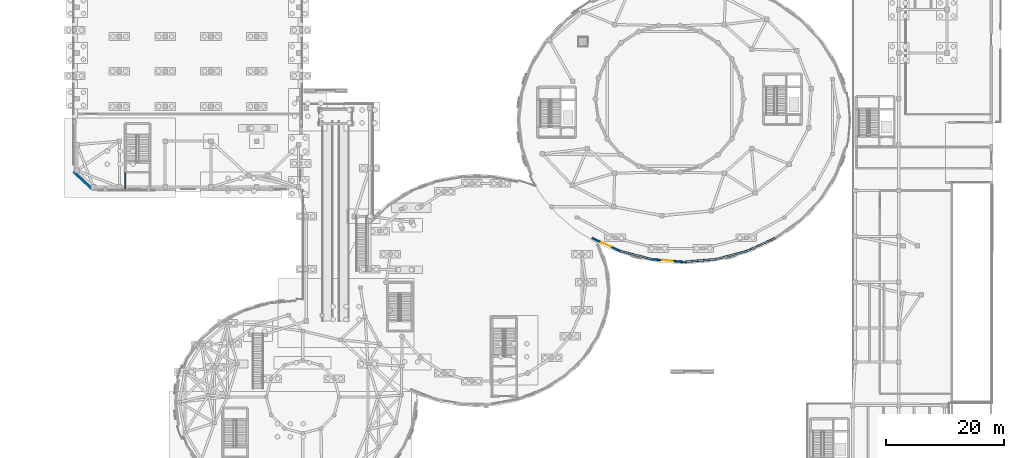
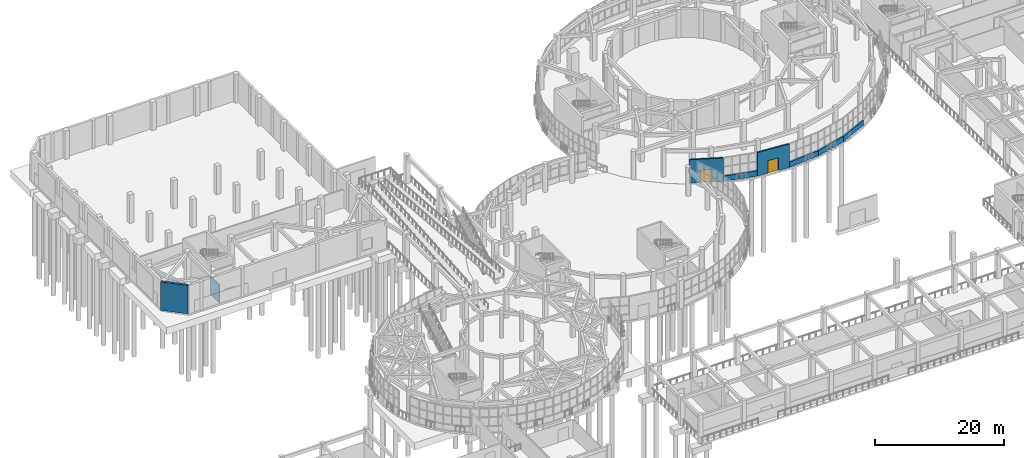
# One storey, part 74 of 96: 8 walls, 2 doors, 2 openings.
"""IFC4 building model written with IfcOpenShell, lengths in metres."""

from ifc_helpers import new_model, si_unit, direction, frame, frame_2d, origin, place, context, subcontext, project, spatial, rectangle, extrude, material, layer, layer_set, type_object, element, fill, save


model = new_model("IFC4")

# Units and contexts
model_context = context("Model", 3, precision=1e-05, world=origin(), true_north=direction((0.0, 1.0)))
body_context = subcontext(model_context, "Body", "Model", "MODEL_VIEW")
ifc_project = project(units=[si_unit("LENGTHUNIT", "METRE"), si_unit("AREAUNIT", "SQUARE_METRE"), si_unit("VOLUMEUNIT", "CUBIC_METRE"), si_unit("PLANEANGLEUNIT", "RADIAN"), si_unit("MASSUNIT", "GRAM", prefix="KILO")], contexts=[model_context])

# Site, building, storey
site_placement = place(None, origin())
site = spatial("IfcSite", under=ifc_project, at=site_placement, CompositionType="ELEMENT")
building_placement = place(site_placement, origin())
building = spatial("IfcBuilding", under=site, at=building_placement, Name="Pelvatis Terrace Science Centre", CompositionType="ELEMENT")
storey_placement = place(building_placement, origin())
storey = spatial("IfcBuildingStorey", under=building, at=storey_placement, Name="L00", CompositionType="ELEMENT", Elevation=0.0)

# Wall
ifc_material_1 = material(Name="Precast concrete C40/50 double acoustic shell", Category="concrete")
ifc_layer_1 = layer(ifc_material_1, 0.409912109375)
ifc_layer_set_1 = layer_set([ifc_layer_1], Name="Precast concrete C40/50 double acoustic shell")
wall_type_1 = type_object("IfcWallType", Name="WL-EXT-ACOU-410", PredefinedType="SOLIDWALL", material=ifc_layer_set_1)
wall_1_placement = place(storey_placement, frame((11.0, 70.449951171875, 0.0), z_axis=(0.0, 0.0, 1.0), x_axis=(-0.735244168043, 0.677802340922, 0.0)))
element("IfcWall", 1, at=wall_1_placement, inside=storey, type_object=wall_type_1, Name="Theatre classical stone acoustic wall SW (L00)", PredefinedType="SOLIDWALL", context=body_context, shape_type="SweptSolid", body=[
    extrude(rectangle(XDim=4.352294921875, YDim=0.409912109375, at=frame_2d((2.17626953125, 0.0))), origin(), (0.0, 0.0, 1.0), 5.39990234375),
])

# Wall, opening, door
ifc_material_2 = material(Name="White architectural precast concrete C40/50 spandrel", Category="concrete")
ifc_layer_2 = layer(ifc_material_2, 0.27490234375)
ifc_layer_set_2 = layer_set([ifc_layer_2], Name="White architectural precast concrete C40/50 spandrel")
wall_type_2 = type_object("IfcWallType", Name="WL-EXT-SPND-275", PredefinedType="SOLIDWALL", material=ifc_layer_set_2)
wall_2_placement = place(storey_placement, frame((100.86572265625, 59.88818359375, 0.0), z_axis=(0.0, 0.0, 1.0), x_axis=(-0.908403269123, 0.418095085653, 0.0)))
wall_2 = element("IfcWall", 2, at=wall_2_placement, inside=storey, type_object=wall_type_2, Name="V1 courtyard exit portal wall 22 (L00)", PredefinedType="SOLIDWALL", context=body_context, shape_type="SweptSolid", body=[
    extrude(rectangle(XDim=5.33837890625, YDim=0.27490234375, at=frame_2d((2.669189453125, 0.0))), origin(), (0.0, 0.0, 1.0), 4.4599609375),
])
opening_1_placement = place(wall_2_placement, frame((1.76904296875, 0.0, 0.0)))
opening_1 = element("IfcOpeningElement", 3, at=opening_1_placement, cuts=wall_2, Name="Opening D-015", PredefinedType="OPENING", context=body_context, shape_type="SweptSolid", body=[
    extrude(rectangle(XDim=1.800048828125, YDim=2.39990234375, at=frame_2d((0.89990234375, 1.199951171875))), frame((0.0, 0.1474609375, 0.0), z_axis=(0.0, -1.0, 0.0), x_axis=(1.0, 0.0, 0.0)), (0.0, 0.0, 1.0), 0.294921875),
])
ifc_material_3 = material(Name="Bronze-framed glazed double exit door", Category="glass")
door_type = type_object("IfcDoorType", Name="DR-EXT-1800x2400", OperationType="NOTDEFINED", PredefinedType="DOOR", material=ifc_material_3)
door_1_placement = place(opening_1_placement, origin())
door_1 = element("IfcDoor", 4, at=door_1_placement, inside=storey, type_object=door_type, Name="Planetarium south plaza exit door D-015", OperationType="DOUBLE_DOOR_SINGLE_SWING", OverallHeight=2.39990234375, OverallWidth=1.800048828125, PredefinedType="DOOR", context=body_context, shape_type="SweptSolid", body=[
    extrude(rectangle(XDim=1.800048828125, YDim=2.39990234375, at=frame_2d((0.89990234375, 1.199951171875))), frame((0.0, 0.02490234375, 0.0), z_axis=(0.0, -1.0, 0.0), x_axis=(1.0, 0.0, 0.0)), (0.0, 0.0, 1.0), 0.050048828125),
])
fill(opening_1, door_1)

# Wall
wall_3_placement = place(storey_placement, frame((100.86572265625, 59.88818359375, 0.0), z_axis=(0.0, 0.0, 1.0), x_axis=(0.967546202247, -0.252694175866, 0.0)))
element("IfcWall", 5, at=wall_3_placement, inside=storey, type_object=wall_type_2, Name="V1 white spiral spandrel band 23 (L00)", PredefinedType="SOLIDWALL", context=body_context, shape_type="SweptSolid", body=[
    extrude(rectangle(XDim=5.4384765625, YDim=0.27490234375, at=frame_2d((2.71923828125, 0.0))), origin(), (0.0, 0.0, 1.0), 1.02001953125),
])

# Wall, opening, door
wall_4_placement = place(storey_placement, frame((111.60009765625, 58.050048828125, 0.0), z_axis=(0.0, 0.0, 1.0), x_axis=(-0.996426719811, 0.084461778614, 0.0)))
wall_4 = element("IfcWall", 6, at=wall_4_placement, inside=storey, type_object=wall_type_2, Name="V1 courtyard exit portal wall 24 (L00)", PredefinedType="SOLIDWALL", context=body_context, shape_type="SweptSolid", body=[
    extrude(rectangle(XDim=5.491943359375, YDim=0.27490234375, at=frame_2d((2.74609375, 0.0))), origin(), (0.0, 0.0, 1.0), 4.4599609375),
])
opening_2_placement = place(wall_4_placement, frame((1.845947265625, 0.0, 0.0)))
opening_2 = element("IfcOpeningElement", 7, at=opening_2_placement, cuts=wall_4, Name="Opening D-016", PredefinedType="OPENING", context=body_context, shape_type="SweptSolid", body=[
    extrude(rectangle(XDim=1.800048828125, YDim=2.39990234375, at=frame_2d((0.89990234375, 1.199951171875))), frame((0.0, 0.1474609375, 0.0), z_axis=(0.0, -1.0, 0.0), x_axis=(1.0, 0.0, 0.0)), (0.0, 0.0, 1.0), 0.294921875),
])
door_2_placement = place(opening_2_placement, origin())
door_2 = element("IfcDoor", 8, at=door_2_placement, inside=storey, type_object=door_type, Name="Botanical court south exit door D-016", OperationType="DOUBLE_DOOR_SINGLE_SWING", OverallHeight=2.39990234375, OverallWidth=1.800048828125, PredefinedType="DOOR", context=body_context, shape_type="SweptSolid", body=[
    extrude(rectangle(XDim=1.800048828125, YDim=2.39990234375, at=frame_2d((0.89990234375, 1.199951171875))), frame((0.0, 0.02490234375, 0.0), z_axis=(0.0, -1.0, 0.0), x_axis=(1.0, 0.0, 0.0)), (0.0, 0.0, 1.0), 0.050048828125),
])
fill(opening_2, door_2)

# Walls
wall_5_placement = place(storey_placement, frame((111.60009765625, 58.050048828125, 0.0), z_axis=(0.0, 0.0, 1.0), x_axis=(0.996426402667, 0.084465519991, 0.0)))
element("IfcWall", 9, at=wall_5_placement, inside=storey, type_object=wall_type_2, Name="V1 white spiral spandrel band 25 (L00)", PredefinedType="SOLIDWALL", context=body_context, shape_type="SweptSolid", body=[
    extrude(rectangle(XDim=5.49169921875, YDim=0.27490234375, at=frame_2d((2.745849609375, 0.0))), origin(), (0.0, 0.0, 1.0), 1.02001953125),
])
wall_6_placement = place(storey_placement, frame((117.072265625, 58.513916015625, 0.0), z_axis=(0.0, 0.0, 1.0), x_axis=(0.967546202247, 0.252694175866, 0.0)))
element("IfcWall", 10, at=wall_6_placement, inside=storey, type_object=wall_type_2, Name="V1 white spiral spandrel band 26 (L00)", PredefinedType="SOLIDWALL", context=body_context, shape_type="SweptSolid", body=[
    extrude(rectangle(XDim=5.4384765625, YDim=0.27490234375, at=frame_2d((2.71923828125, 0.0))), origin(), (0.0, 0.0, 1.0), 1.02001953125),
])
wall_7_placement = place(storey_placement, frame((122.334228515625, 59.88818359375, 0.0), z_axis=(0.0, 0.0, 1.0), x_axis=(0.908403269123, 0.418095085653, 0.0)))
element("IfcWall", 11, at=wall_7_placement, inside=storey, type_object=wall_type_2, Name="V1 white spiral spandrel band 27 (L00)", PredefinedType="SOLIDWALL", context=body_context, shape_type="SweptSolid", body=[
    extrude(rectangle(XDim=5.33837890625, YDim=0.27490234375, at=frame_2d((2.669189453125, 0.0))), origin(), (0.0, 0.0, 1.0), 1.02001953125),
])
ifc_material_4 = material(Name="Concrete C35/45 shaft dividing wall", Category="concrete")
ifc_layer_3 = layer(ifc_material_4, 0.2099609375)
ifc_layer_set_3 = layer_set([ifc_layer_3], Name="Concrete C35/45 shaft dividing wall")
wall_type_3 = type_object("IfcWallType", Name="WL-INT-CORE-210", PredefinedType="PARTITIONING", material=ifc_layer_set_3)
wall_8_placement = place(storey_placement, frame((16.60009765625, 73.199951171875, 0.0), z_axis=(0.0, 0.0, 1.0), x_axis=(0.0, -1.0, 0.0)))
element("IfcWall", 12, at=wall_8_placement, inside=storey, type_object=wall_type_3, Name="Protected Exit Discharge Lobby EX7 partition wall W", PredefinedType="PARTITIONING", context=body_context, shape_type="SweptSolid", body=[
    extrude(rectangle(XDim=2.75, YDim=0.2099609375, at=frame_2d((1.375, 0.0))), origin(), (0.0, 0.0, 1.0), 3.449951171875),
])

save(model, "model.ifc")
